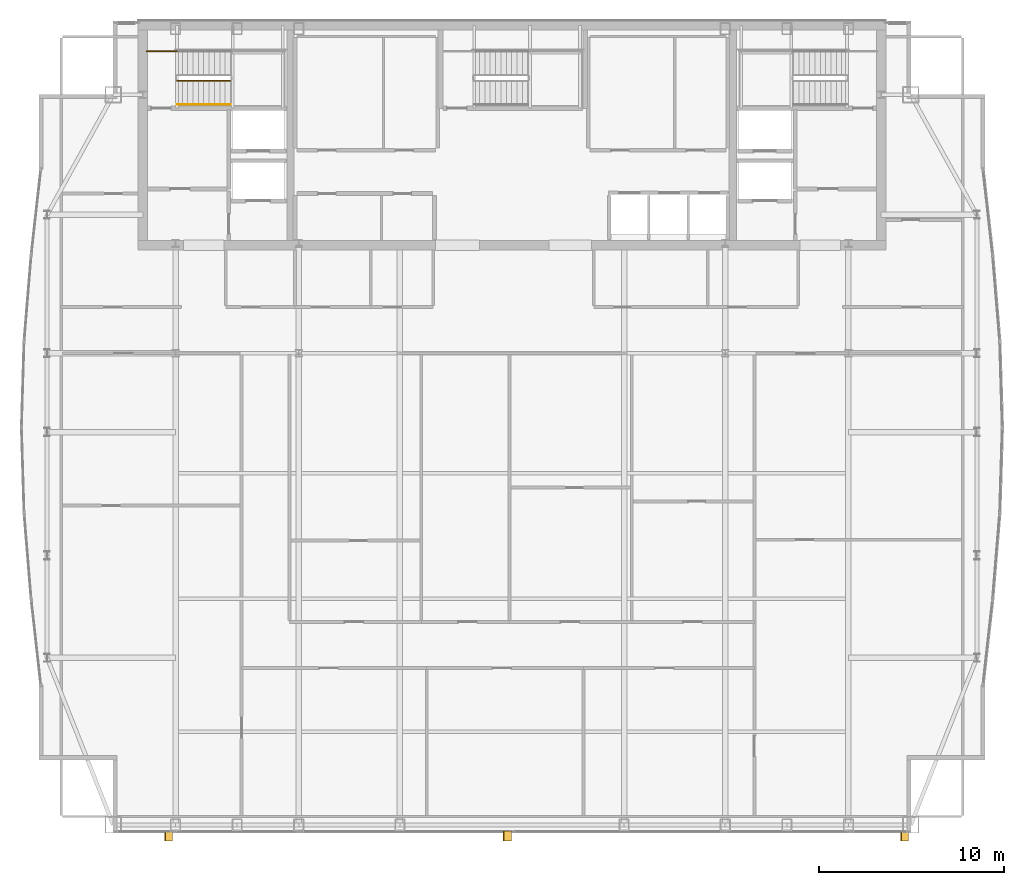
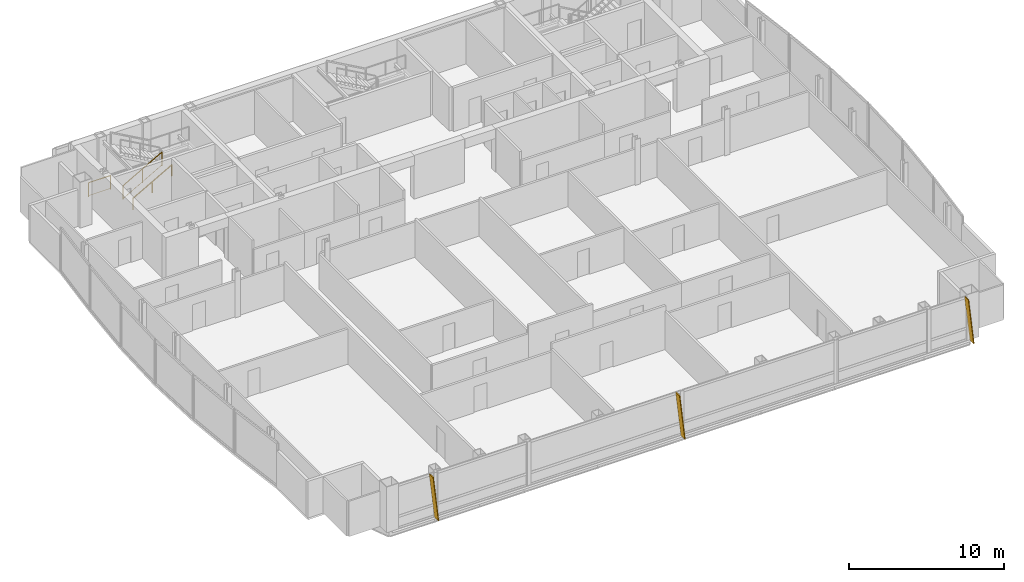
# One storey, part 24 of 25: 3 railings, 3 shading devices.
"""IFC4 building model written with IfcOpenShell, lengths in metres."""

from ifc_helpers import new_model, si_unit, direction, frame, origin, origin_2d, place, context, subcontext, project, spatial, polyline, rectangle, outline, extrude, material, layer, layer_set, type_object, element, save


model = new_model("IFC4")

# Units and contexts
model_context = context("Model", 3, precision=1e-05, world=origin(), true_north=direction((0.0, 1.0)))
body_context = subcontext(model_context, "Body", "Model", "MODEL_VIEW")
ifc_project = project(units=[si_unit("LENGTHUNIT", "METRE"), si_unit("AREAUNIT", "SQUARE_METRE"), si_unit("VOLUMEUNIT", "CUBIC_METRE"), si_unit("PLANEANGLEUNIT", "RADIAN"), si_unit("MASSUNIT", "GRAM", prefix="KILO")], contexts=[model_context])

# Site, building, storey
site_placement = place(None, origin())
site = spatial("IfcSite", under=ifc_project, at=site_placement, CompositionType="ELEMENT")
building_placement = place(site_placement, origin())
building = spatial("IfcBuilding", under=site, at=building_placement, Name="Khoronbel Lancet Exchange", CompositionType="ELEMENT")
storey_placement = place(building_placement, frame((0.0, 0.0, 295.0)))
storey = spatial("IfcBuildingStorey", under=building, at=storey_placement, Name="L76", CompositionType="ELEMENT", Elevation=295.0)

# Railings
ifc_material_1 = material(Name="Painted Steel Balustrade", Category="steel")
railing_type_1 = type_object("IfcRailingType", Name="RL-STG110", PredefinedType="GUARDRAIL", material=ifc_material_1)
railing_1_placement = place(storey_placement, frame((18.300048828125, 50.449951171875, 0.16357421875)))
element("IfcRailing", 1, at=railing_1_placement, inside=storey, type_object=railing_type_1, Name="L76 ST1 stair guard 1", PredefinedType="GUARDRAIL", context=body_context, shape_type="SweptSolid", body=[
    extrude(rectangle(XDim=0.048095703125, YDim=0.048095703125, at=origin_2d()), frame((0.0, 0.0, 1.09619140625), z_axis=(0.870897200241, 0.0, 0.491465224214), x_axis=(0.0, 1.0, 0.0)), (0.0, 0.0, 1.0), 3.329833984375),
    extrude(rectangle(XDim=0.02392578125, YDim=0.02392578125, at=origin_2d()), frame((0.0, 0.0, 0.080078125), z_axis=(0.870897200241, 0.0, 0.491465224214), x_axis=(0.0, 1.0, 0.0)), (0.0, 0.0, 1.0), 3.329833984375),
    extrude(rectangle(XDim=0.0419921875, YDim=0.0419921875, at=origin_2d()), origin(), (0.0, 0.0, 1.0), 1.072021484375),
    extrude(rectangle(XDim=0.0419921875, YDim=0.0419921875, at=origin_2d()), frame((1.449951171875, 0.0, 0.818359375)), (0.0, 0.0, 1.0), 1.072021484375),
    extrude(rectangle(XDim=0.0419921875, YDim=0.0419921875, at=origin_2d()), frame((2.89990234375, 0.0, 1.636474609375)), (0.0, 0.0, 1.0), 1.072021484375),
])
railing_2_placement = place(storey_placement, frame((16.64990234375, 52.050048828125, 0.0)))
element("IfcRailing", 2, at=railing_2_placement, inside=storey, type_object=railing_type_1, Name="L76 ST1 stair guard 6", PredefinedType="GUARDRAIL", context=body_context, shape_type="SweptSolid", body=[
    extrude(rectangle(XDim=0.048095703125, YDim=0.048095703125, at=origin_2d()), frame((0.0, 0.0, 1.09619140625), z_axis=(1.0, 0.0, 0.0), x_axis=(0.0, 1.0, 0.0)), (0.0, 0.0, 1.0), 1.650146484375),
    extrude(rectangle(XDim=0.02392578125, YDim=0.02392578125, at=origin_2d()), frame((0.0, 0.0, 0.080078125), z_axis=(1.0, 0.0, 0.0), x_axis=(0.0, 1.0, 0.0)), (0.0, 0.0, 1.0), 1.650146484375),
    extrude(rectangle(XDim=0.0419921875, YDim=0.0419921875, at=origin_2d()), origin(), (0.0, 0.0, 1.0), 1.072021484375),
    extrude(rectangle(XDim=0.0419921875, YDim=0.0419921875, at=origin_2d()), frame((1.650146484375, 0.0, 0.0)), (0.0, 0.0, 1.0), 1.072021484375),
])
ifc_material_2 = material(Name="Brushed Stainless Steel 316", Category="steel")
railing_type_2 = type_object("IfcRailingType", Name="RL-STH92", PredefinedType="HANDRAIL", material=ifc_material_2)
railing_3_placement = place(storey_placement, frame((18.300048828125, 49.169921875, 0.16357421875)))
element("IfcRailing", 3, at=railing_3_placement, inside=storey, type_object=railing_type_2, Name="L76 ST1 stair handrail 1", PredefinedType="HANDRAIL", context=body_context, shape_type="SweptSolid", body=[
    extrude(rectangle(XDim=0.048095703125, YDim=0.048095703125, at=origin_2d()), frame((0.0, 0.0, 0.8759765625), z_axis=(0.870897200241, 0.0, 0.491465224214), x_axis=(0.0, 1.0, 0.0)), (0.0, 0.0, 1.0), 3.329833984375),
    extrude(rectangle(XDim=0.0419921875, YDim=0.0419921875, at=origin_2d()), origin(), (0.0, 0.0, 1.0), 0.851806640625),
    extrude(rectangle(XDim=0.0419921875, YDim=0.0419921875, at=origin_2d()), frame((1.449951171875, 0.0, 0.818359375)), (0.0, 0.0, 1.0), 0.851806640625),
    extrude(rectangle(XDim=0.0419921875, YDim=0.0419921875, at=origin_2d()), frame((2.89990234375, 0.0, 1.636474609375)), (0.0, 0.0, 1.0), 0.851806640625),
])

# Shading devices
ifc_material_3 = material(Name="Bronze-Anodised Aluminium 6063-T6", Category="aluminium")
ifc_layer = layer(ifc_material_3, 0.054931640625, Name="Bronze-Anodised Aluminium 6063-T6")
ifc_layer_set = layer_set([ifc_layer], Name="Bronze-Anodised Aluminium 6063-T6")
shading_device_type = type_object("IfcShadingDeviceType", Name="SHD-FIN1", PredefinedType="USERDEFINED", material=ifc_layer_set)
for number, where, z_axis, x_axis, name in (
    (4, (18.072509765625, 9.81005859375, -0.080078125), (0.993900347655, 0.0, 0.110281906632), (0.0, -1.0, 0.0), "Slanted bronze solar fin CW-L76-SWV-1"),
    (5, (36.422607421875, 9.81005859375, -0.080078125), (0.993900347655, 0.0, 0.110281906632), (0.0, -1.0, 0.0), "Slanted bronze solar fin CW-L76-SCV-1"),
    (6, (57.9326171875, 9.81005859375, -0.080078125), (0.993900347655, 0.0, 0.110281906632), (0.0, -1.0, 0.0), "Slanted bronze solar fin CW-L76-SEV-1"),
):
    element("IfcShadingDevice", number, at=place(storey_placement, frame(where, z_axis=z_axis, x_axis=x_axis)), inside=storey, type_object=shading_device_type, Name=name, ObjectType="FIN", PredefinedType="USERDEFINED", context=body_context, shape_type="SweptSolid", body=[
        extrude(outline(polyline([(0.0, 0.0), (0.52001953125, 0.0), (0.52001953125, -3.581787109375), (0.0, -3.581787109375), (0.0, 0.0)])), origin(), (0.0, 0.0, -1.0), 0.054931640625),
    ])

save(model, "model.ifc")
